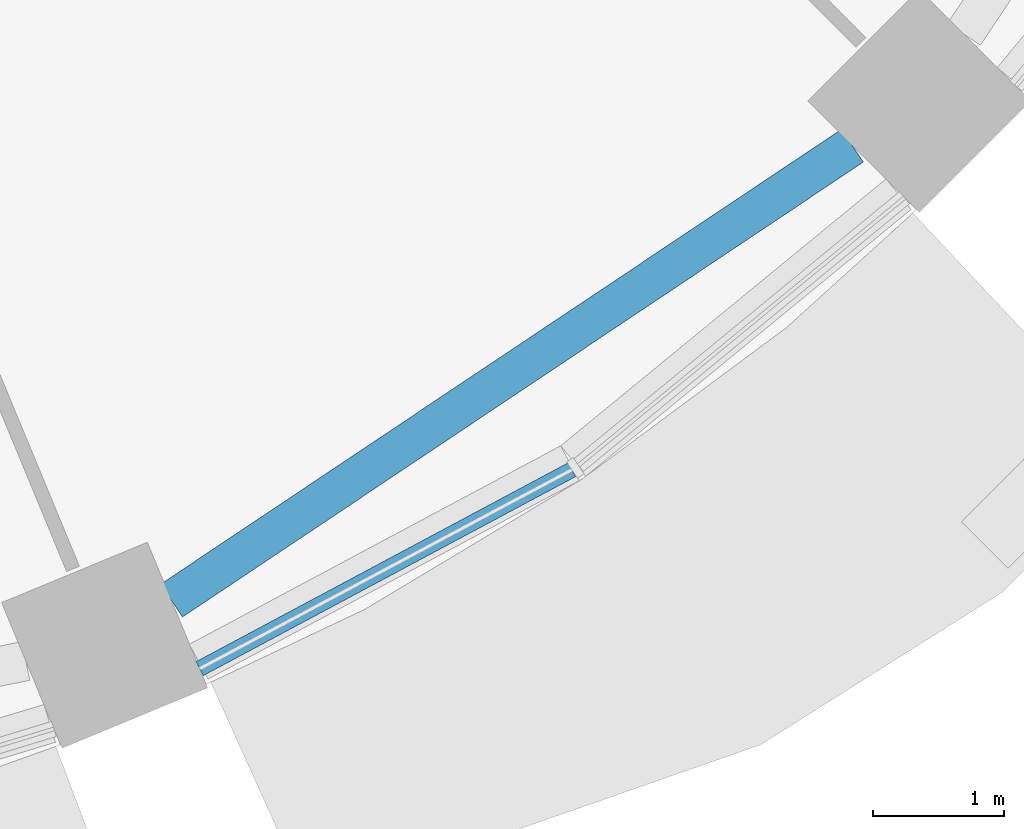
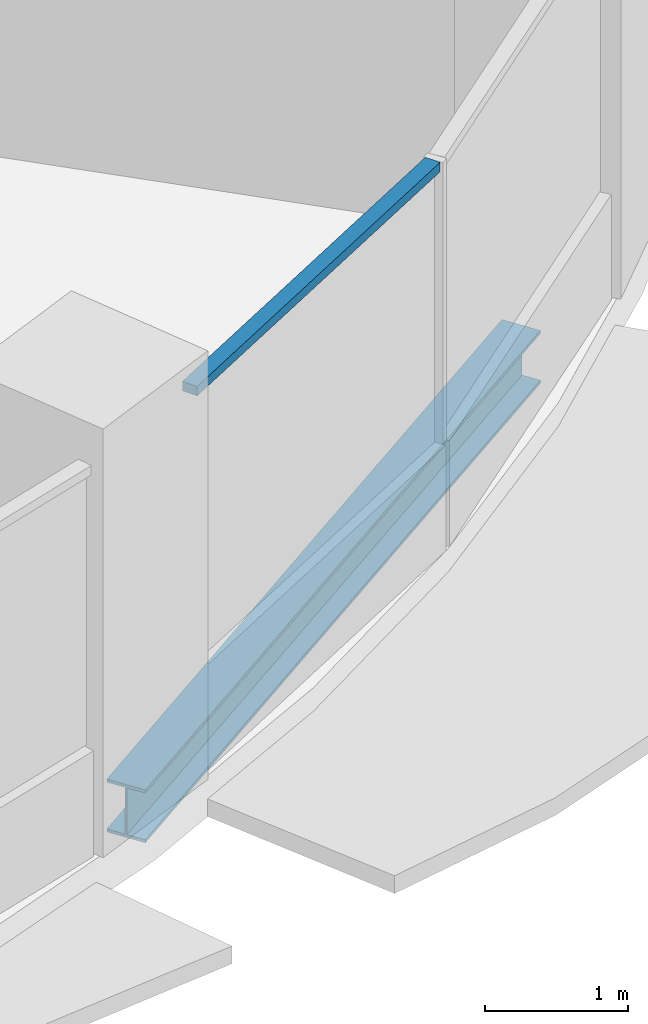
# One storey, part 3 of 15: 1 beam, 1 member, 1 element without a shape of its own.
"""IFC4 building model written with IfcOpenShell, lengths in metres."""

from ifc_helpers import new_model, si_unit, direction, frame, origin, origin_2d, place, context, subcontext, project, spatial, rectangle, i_section, extrude, material, material_profile, profile_set, type_object, element, aggregate, save


model = new_model("IFC4")

# Units and contexts
model_context = context("Model", 3, precision=1e-05, world=origin(), true_north=direction((0.0, 1.0)))
body_context = subcontext(model_context, "Body", "Model", "MODEL_VIEW")
ifc_project = project(units=[si_unit("LENGTHUNIT", "METRE"), si_unit("AREAUNIT", "SQUARE_METRE"), si_unit("VOLUMEUNIT", "CUBIC_METRE"), si_unit("PLANEANGLEUNIT", "RADIAN"), si_unit("MASSUNIT", "GRAM", prefix="KILO")], contexts=[model_context])

# Site, building, storey
site_placement = place(None, origin())
site = spatial("IfcSite", under=ifc_project, at=site_placement, CompositionType="ELEMENT")
building_placement = place(site_placement, origin())
building = spatial("IfcBuilding", under=site, at=building_placement, Name="Polderwave Tower", CompositionType="ELEMENT")
storey_placement = place(building_placement, frame((0.0, 0.0, 44.449951171875)))
storey = spatial("IfcBuildingStorey", under=building, at=storey_placement, Name="L11", CompositionType="ELEMENT", Elevation=44.449951171875)

# Curtain wall, member
ifc_material_1 = material(Name="Aluminium 6063-T6 and glass", Category="aluminium")
curtain_wall_type = type_object("IfcCurtainWallType", Name="Growing floor ribbon glazing wall", PredefinedType="NOTDEFINED", material=ifc_material_1)
curtain_wall_placement = place(storey_placement, origin())
curtain_wall = element("IfcCurtainWall", 1, at=curtain_wall_placement, inside=storey, type_object=curtain_wall_type, Name="CW2 L11 13", PredefinedType="NOTDEFINED")
ifc_material_2 = material(Name="Aluminium 6063-T6", Category="aluminium")
ifc_material_profile_1 = material_profile(ifc_material_2, rectangle(XDim=0.1201171875, YDim=0.080078125, at=origin_2d()), Name="AL 80x120")
ifc_profile_set_1 = profile_set([ifc_material_profile_1], Name="Aluminium 6063-T6")
member_type = type_object("IfcMemberType", Name="Growing floor ribbon glazing transom 80x120", PredefinedType="USERDEFINED", material=ifc_profile_set_1)
member_placement = place(storey_placement, frame((8.035888671875, -17.8330078125, 3.260009765625), z_axis=(0.881933848072, 0.471373193578, 0.0), x_axis=(-0.471373193578, 0.881933848072, 0.0)))
member = element("IfcMember", 2, at=member_placement, type_object=member_type, Name="CW2 transom 1", ObjectType="TRANSOM", PredefinedType="USERDEFINED", context=body_context, shape_type="SweptSolid", body=[
    extrude(rectangle(XDim=0.1201171875, YDim=0.080078125, at=origin_2d()), origin(), (0.0, 0.0, 1.0), 3.211669921875),
])
aggregate(curtain_wall, [member])

# Beam
ifc_material_3 = material(Name="Steel S355", Category="steel")
ifc_material_profile_2 = material_profile(ifc_material_3, i_section(OverallWidth=0.300048828125, OverallDepth=0.449951171875, WebThickness=0.013916015625, FlangeThickness=0.02587890625, at=origin_2d()), Name="HE 450 B")
ifc_profile_set_2 = profile_set([ifc_material_profile_2], Name="Steel S355")
beam_type = type_object("IfcBeamType", Name="RING BEAM HE 450 B", PredefinedType="BEAM", material=ifc_profile_set_2)
beam_placement = place(storey_placement, frame((7.82177734375, -17.3154296875, -0.574951171875), z_axis=(0.831477355721, 0.555558644, 0.0), x_axis=(-0.555558644, 0.831477355721, 0.0)))
element("IfcBeam", 3, at=beam_placement, inside=storey, type_object=beam_type, Name="ST-RB-L11-13", PredefinedType="BEAM", context=body_context, shape_type="SweptSolid", body=[
    extrude(i_section(OverallWidth=0.300048828125, OverallDepth=0.449951171875, WebThickness=0.013916015625, FlangeThickness=0.02587890625, at=origin_2d()), origin(), (0.0, 0.0, 1.0), 6.232666015625),
])

save(model, "model.ifc")
